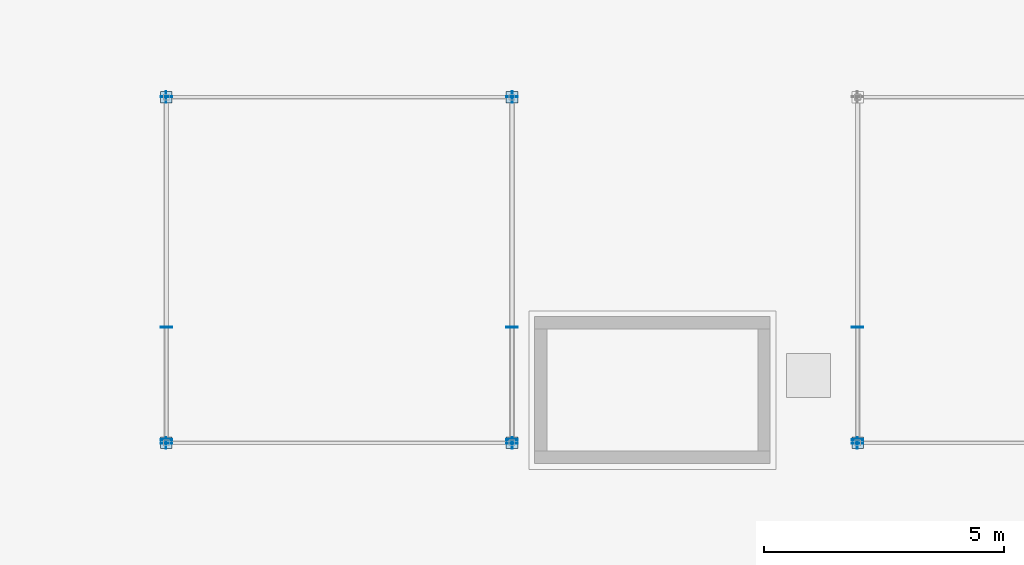
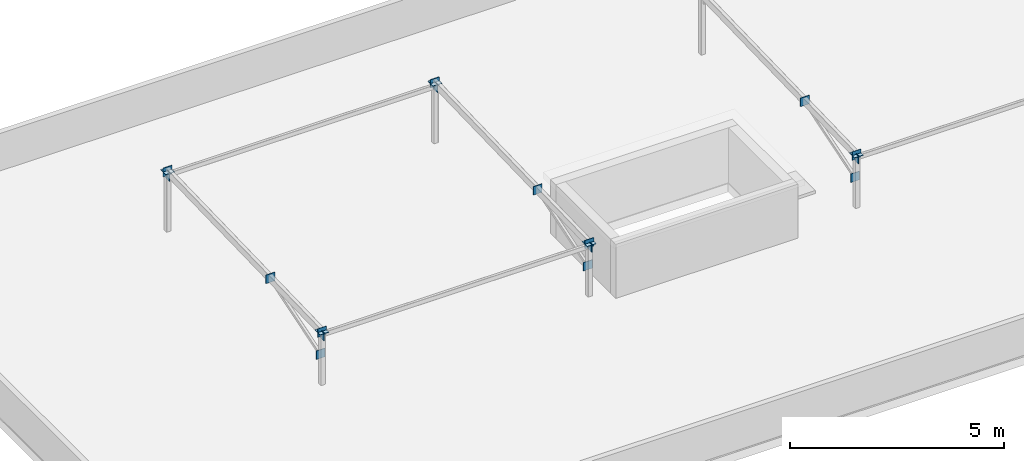
# One storey, part 13 of 31: 21 plates.
"""IFC4 building model written with IfcOpenShell, lengths in metres."""

from ifc_helpers import new_model, si_unit, direction, frame, origin, origin_2d, place, context, subcontext, project, spatial, rectangle, extrude, material, layer, layer_set, type_object, element, save


model = new_model("IFC4")

# Units and contexts
model_context = context("Model", 3, precision=1e-05, world=origin(), true_north=direction((0.0, 1.0)))
body_context = subcontext(model_context, "Body", "Model", "MODEL_VIEW")
ifc_project = project(units=[si_unit("LENGTHUNIT", "METRE"), si_unit("AREAUNIT", "SQUARE_METRE"), si_unit("VOLUMEUNIT", "CUBIC_METRE"), si_unit("PLANEANGLEUNIT", "RADIAN"), si_unit("MASSUNIT", "GRAM", prefix="KILO")], contexts=[model_context])

# Site, building, storey
site_placement = place(None, origin())
site = spatial("IfcSite", under=ifc_project, at=site_placement, CompositionType="ELEMENT")
building_placement = place(site_placement, origin())
building = spatial("IfcBuilding", under=site, at=building_placement, Name="Ochrevale Crest", CompositionType="ELEMENT")
storey_placement = place(building_placement, frame((0.0, 0.0, 37.050048828125)))
storey = spatial("IfcBuildingStorey", under=building, at=storey_placement, Name="L11", CompositionType="ELEMENT", Elevation=37.050048828125)

# Plates
ifc_material = material(Name="Steel S355", Category="steel")
ifc_layer = layer(ifc_material, 0.01611328125)
ifc_layer_set = layer_set([ifc_layer], Name="Steel S355")
plate_type = type_object("IfcPlateType", Name="PLT-CAP-16", PredefinedType="USERDEFINED", material=ifc_layer_set)
for number, where, z_axis, x_axis, name in (
    (1, (7.199951171875, 79.199951171875, 1.519775390625), (0.0, 0.0, 1.0), (1.0, 0.0, 0.0), "Block B solar-frame support post welded end cap plate CE"),
    (2, (7.199951171875, 86.39990234375, 1.719970703125), (0.0, 0.0, 1.0), (1.0, 0.0, 0.0), "Block B solar-frame support post welded end cap plate CE"),
):
    element("IfcPlate", number, at=place(storey_placement, frame(where, z_axis=z_axis, x_axis=x_axis)), inside=storey, type_object=plate_type, Name=name, ObjectType="CAP PLATE", PredefinedType="USERDEFINED", context=body_context, shape_type="SweptSolid", body=[
        extrude(rectangle(XDim=0.239990234375, YDim=0.239990234375, at=origin_2d()), origin(), (0.0, 0.0, 1.0), 0.01611328125),
    ])
for number, where, z_axis, x_axis, name in (
    (3, (7.199951171875, 79.19189453125, 1.39990234375), (0.0, 0.0, 1.0), (0.0, 1.0, 0.0), "Block B solar-frame array rafter 1 welded end cap plate CS"),
    (4, (7.199951171875, 86.407958984375, 1.60009765625), (0.0, 0.0, 1.0), (0.0, 1.0, 0.0), "Block B solar-frame array rafter 1 welded end cap plate CE"),
    (5, (7.199951171875, 79.262451171875, 0.7275390625), (0.0, 0.0, 1.0), (0.0, 1.0, 0.0), "Block B solar-frame knee-brace strut 1 welded end cap plate CS"),
    (6, (7.199951171875, 81.607666015625, 1.46728515625), (0.0, 0.0, 1.0), (0.0, 1.0, 0.0), "Block B solar-frame knee-brace strut 1 welded end cap plate CE"),
):
    element("IfcPlate", number, at=place(storey_placement, frame(where, z_axis=z_axis, x_axis=x_axis)), inside=storey, type_object=plate_type, Name=name, ObjectType="CAP PLATE", PredefinedType="USERDEFINED", context=body_context, shape_type="SweptSolid", body=[
        extrude(rectangle(XDim=0.01611328125, YDim=0.239990234375, at=origin_2d()), origin(), (0.0, 0.0, 1.0), 0.239990234375),
    ])
for number, where, z_axis, x_axis, name in (
    (7, (14.39990234375, 79.199951171875, 1.519775390625), (0.0, 0.0, 1.0), (1.0, 0.0, 0.0), "Block B solar-frame support post welded end cap plate CE"),
    (8, (14.39990234375, 86.39990234375, 1.719970703125), (0.0, 0.0, 1.0), (1.0, 0.0, 0.0), "Block B solar-frame support post welded end cap plate CE"),
):
    element("IfcPlate", number, at=place(storey_placement, frame(where, z_axis=z_axis, x_axis=x_axis)), inside=storey, type_object=plate_type, Name=name, ObjectType="CAP PLATE", PredefinedType="USERDEFINED", context=body_context, shape_type="SweptSolid", body=[
        extrude(rectangle(XDim=0.239990234375, YDim=0.239990234375, at=origin_2d()), origin(), (0.0, 0.0, 1.0), 0.01611328125),
    ])
for number, where, z_axis, x_axis, name in (
    (9, (14.39990234375, 79.19189453125, 1.39990234375), (0.0, 0.0, 1.0), (0.0, 1.0, 0.0), "Block B solar-frame array rafter 2 welded end cap plate CS"),
    (10, (14.39990234375, 86.407958984375, 1.60009765625), (0.0, 0.0, 1.0), (0.0, 1.0, 0.0), "Block B solar-frame array rafter 2 welded end cap plate CE"),
    (11, (14.39990234375, 79.262451171875, 0.7275390625), (0.0, 0.0, 1.0), (0.0, 1.0, 0.0), "Block B solar-frame knee-brace strut 2 welded end cap plate CS"),
    (12, (14.39990234375, 81.607666015625, 1.46728515625), (0.0, 0.0, 1.0), (0.0, 1.0, 0.0), "Block B solar-frame knee-brace strut 2 welded end cap plate CE"),
):
    element("IfcPlate", number, at=place(storey_placement, frame(where, z_axis=z_axis, x_axis=x_axis)), inside=storey, type_object=plate_type, Name=name, ObjectType="CAP PLATE", PredefinedType="USERDEFINED", context=body_context, shape_type="SweptSolid", body=[
        extrude(rectangle(XDim=0.01611328125, YDim=0.239990234375, at=origin_2d()), origin(), (0.0, 0.0, 1.0), 0.239990234375),
    ])
plate_placement = place(storey_placement, frame((21.60009765625, 79.199951171875, 1.519775390625), z_axis=(0.0, 0.0, 1.0), x_axis=(1.0, 0.0, 0.0)))
element("IfcPlate", 13, at=plate_placement, inside=storey, type_object=plate_type, Name="Block B solar-frame support post welded end cap plate CE", ObjectType="CAP PLATE", PredefinedType="USERDEFINED", context=body_context, shape_type="SweptSolid", body=[
    extrude(rectangle(XDim=0.239990234375, YDim=0.239990234375, at=origin_2d()), origin(), (0.0, 0.0, 1.0), 0.01611328125),
])
for number, where, z_axis, x_axis, name in (
    (14, (21.60009765625, 79.19189453125, 1.39990234375), (0.0, 0.0, 1.0), (0.0, 1.0, 0.0), "Block B solar-frame array rafter 3 welded end cap plate CS"),
    (15, (21.60009765625, 79.262451171875, 0.7275390625), (0.0, 0.0, 1.0), (0.0, 1.0, 0.0), "Block B solar-frame knee-brace strut 3 welded end cap plate CS"),
    (16, (21.60009765625, 81.607666015625, 1.46728515625), (0.0, 0.0, 1.0), (0.0, 1.0, 0.0), "Block B solar-frame knee-brace strut 3 welded end cap plate CE"),
    (17, (7.19189453125, 79.199951171875, 1.31982421875), (0.0, 0.0, 1.0), (1.0, 0.0, 0.0), "Block B solar-frame purlin W welded end cap plate CS"),
    (18, (14.407958984375, 79.199951171875, 1.31982421875), (0.0, 0.0, 1.0), (1.0, 0.0, 0.0), "Block B solar-frame purlin W welded end cap plate CE"),
    (19, (7.19189453125, 86.39990234375, 1.5), (0.0, 0.0, 1.0), (1.0, 0.0, 0.0), "Block B solar-frame purlin W welded end cap plate CS"),
    (20, (14.407958984375, 86.39990234375, 1.5), (0.0, 0.0, 1.0), (1.0, 0.0, 0.0), "Block B solar-frame purlin W welded end cap plate CE"),
    (21, (21.592041015625, 79.199951171875, 1.31982421875), (0.0, 0.0, 1.0), (1.0, 0.0, 0.0), "Block B solar-frame purlin E welded end cap plate CS"),
):
    element("IfcPlate", number, at=place(storey_placement, frame(where, z_axis=z_axis, x_axis=x_axis)), inside=storey, type_object=plate_type, Name=name, ObjectType="CAP PLATE", PredefinedType="USERDEFINED", context=body_context, shape_type="SweptSolid", body=[
        extrude(rectangle(XDim=0.01611328125, YDim=0.239990234375, at=origin_2d()), origin(), (0.0, 0.0, 1.0), 0.239990234375),
    ])

save(model, "model.ifc")
